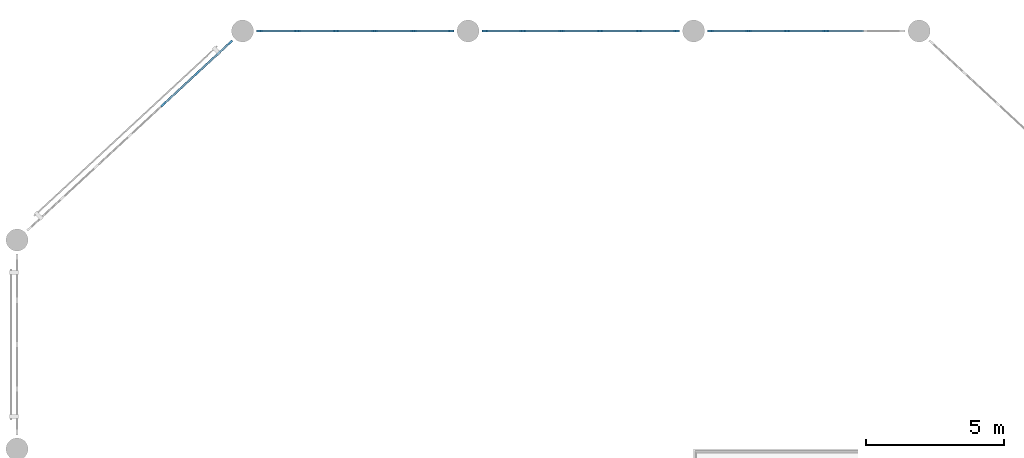
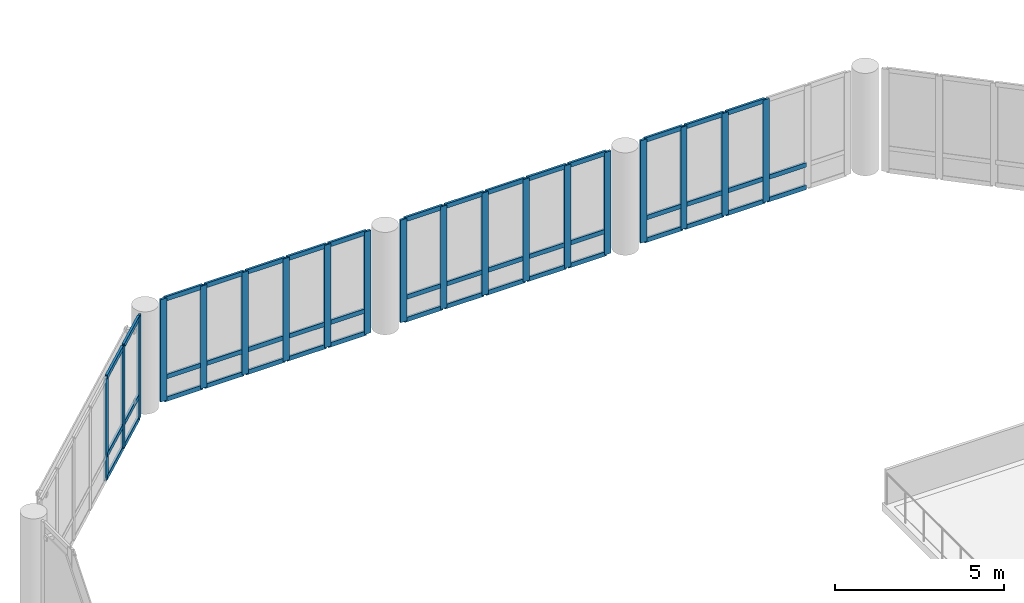
# One storey, part 19 of 49: 66 members, 4 elements without a shape of their own.
"""IFC4 building model written with IfcOpenShell, lengths in metres."""

from ifc_helpers import new_model, si_unit, direction, frame, origin, origin_2d, place, context, subcontext, project, spatial, rectangle, extrude, material, material_profile, profile_set, type_object, element, aggregate, save


model = new_model("IFC4")

# Units and contexts
model_context = context("Model", 3, precision=1e-05, world=origin(), true_north=direction((0.0, 1.0)))
body_context = subcontext(model_context, "Body", "Model", "MODEL_VIEW")
ifc_project = project(units=[si_unit("LENGTHUNIT", "METRE"), si_unit("AREAUNIT", "SQUARE_METRE"), si_unit("VOLUMEUNIT", "CUBIC_METRE"), si_unit("PLANEANGLEUNIT", "RADIAN"), si_unit("MASSUNIT", "GRAM", prefix="KILO")], contexts=[model_context])

# Site, building, storey
site_placement = place(None, origin())
site = spatial("IfcSite", under=ifc_project, at=site_placement, CompositionType="ELEMENT")
building_placement = place(site_placement, origin())
building = spatial("IfcBuilding", under=site, at=building_placement, Name="Qandaris Square Conservatory and Botanical Centre", CompositionType="ELEMENT")
storey_placement = place(building_placement, frame((0.0, 0.0, 10.199951171875)))
storey = spatial("IfcBuildingStorey", under=building, at=storey_placement, Name="L02", CompositionType="ELEMENT", Elevation=10.199951171875)

# Curtain wall, members
ifc_material = material(Name="Anodised Aluminium", Category="aluminium")
curtain_wall_type_1 = type_object("IfcCurtainWallType", Name="Unitised Curtain Wall CW-2-704x370", PredefinedType="USERDEFINED", material=ifc_material)
curtain_wall_1_placement = place(storey_placement, origin())
curtain_wall_1 = element("IfcCurtainWall", 1, at=curtain_wall_1_placement, inside=storey, type_object=curtain_wall_type_1, Name="Curtain Wall CW-CON-L02-5-1", ObjectType="GLAZED CURTAIN WALL", PredefinedType="USERDEFINED")
ifc_material_profile_1 = material_profile(ifc_material, rectangle(XDim=0.074951171875, YDim=0.219970703125, at=origin_2d()), Name="ALU-MUL 75x220")
ifc_profile_set_1 = profile_set([ifc_material_profile_1], Name="Anodised Aluminium")
member_type_1 = type_object("IfcMemberType", Name="Conservatory Heavy Mullion 75x220", PredefinedType="MULLION", material=ifc_profile_set_1)
member_1_placement = place(storey_placement, frame((45.60400390625, 115.39990234375, 0.0), z_axis=(0.0, 0.0, 1.0), x_axis=(0.0, -1.0, 0.0)))
member_1 = element("IfcMember", 2, at=member_1_placement, type_object=member_type_1, Name="CW-2-704x370 mullion 3", PredefinedType="MULLION", context=body_context, shape_type="SweptSolid", body=[
    extrude(rectangle(XDim=0.074951171875, YDim=0.219970703125, at=origin_2d()), origin(), (0.0, 0.0, 1.0), 3.699951171875),
])
member_2_placement = place(storey_placement, frame((44.196044921875, 115.39990234375, 0.0), z_axis=(0.0, 0.0, 1.0), x_axis=(0.0, -1.0, 0.0)))
member_2 = element("IfcMember", 3, at=member_2_placement, type_object=member_type_1, Name="CW-2-704x370 mullion 4", PredefinedType="MULLION", context=body_context, shape_type="SweptSolid", body=[
    extrude(rectangle(XDim=0.074951171875, YDim=0.219970703125, at=origin_2d()), origin(), (0.0, 0.0, 1.0), 3.699951171875),
])
member_3_placement = place(storey_placement, frame((42.7880859375, 115.39990234375, 0.0), z_axis=(0.0, 0.0, 1.0), x_axis=(0.0, -1.0, 0.0)))
member_3 = element("IfcMember", 4, at=member_3_placement, type_object=member_type_1, Name="CW-2-704x370 mullion 5", PredefinedType="MULLION", context=body_context, shape_type="SweptSolid", body=[
    extrude(rectangle(XDim=0.074951171875, YDim=0.219970703125, at=origin_2d()), origin(), (0.0, 0.0, 1.0), 3.699951171875),
])
member_4_placement = place(storey_placement, frame((41.41748046875, 115.39990234375, 0.0), z_axis=(0.0, 0.0, 1.0), x_axis=(0.0, -1.0, 0.0)))
member_4 = element("IfcMember", 5, at=member_4_placement, type_object=member_type_1, Name="CW-2-704x370 mullion 6", PredefinedType="MULLION", context=body_context, shape_type="SweptSolid", body=[
    extrude(rectangle(XDim=0.074951171875, YDim=0.219970703125, at=origin_2d()), origin(), (0.0, 0.0, 1.0), 3.699951171875),
])

curtain_wall_2_placement = place(storey_placement, origin())
curtain_wall_2 = element("IfcCurtainWall", 6, at=curtain_wall_2_placement, inside=storey, type_object=curtain_wall_type_1, Name="Curtain Wall CW-CON-L02-5-2", ObjectType="GLAZED CURTAIN WALL", PredefinedType="USERDEFINED")
member_5_placement = place(storey_placement, frame((40.1826171875, 115.39990234375, 0.0), z_axis=(0.0, 0.0, 1.0), x_axis=(0.0, -1.0, 0.0)))
member_5 = element("IfcMember", 7, at=member_5_placement, type_object=member_type_1, Name="CW-2-704x370 mullion 1", PredefinedType="MULLION", context=body_context, shape_type="SweptSolid", body=[
    extrude(rectangle(XDim=0.074951171875, YDim=0.219970703125, at=origin_2d()), origin(), (0.0, 0.0, 1.0), 3.699951171875),
])
member_6_placement = place(storey_placement, frame((38.81201171875, 115.39990234375, 0.0), z_axis=(0.0, 0.0, 1.0), x_axis=(0.0, -1.0, 0.0)))
member_6 = element("IfcMember", 8, at=member_6_placement, type_object=member_type_1, Name="CW-2-704x370 mullion 2", PredefinedType="MULLION", context=body_context, shape_type="SweptSolid", body=[
    extrude(rectangle(XDim=0.074951171875, YDim=0.219970703125, at=origin_2d()), origin(), (0.0, 0.0, 1.0), 3.699951171875),
])
member_7_placement = place(storey_placement, frame((37.404052734375, 115.39990234375, 0.0), z_axis=(0.0, 0.0, 1.0), x_axis=(0.0, -1.0, 0.0)))
member_7 = element("IfcMember", 9, at=member_7_placement, type_object=member_type_1, Name="CW-2-704x370 mullion 3", PredefinedType="MULLION", context=body_context, shape_type="SweptSolid", body=[
    extrude(rectangle(XDim=0.074951171875, YDim=0.219970703125, at=origin_2d()), origin(), (0.0, 0.0, 1.0), 3.699951171875),
])
member_8_placement = place(storey_placement, frame((35.99609375, 115.39990234375, 0.0), z_axis=(0.0, 0.0, 1.0), x_axis=(0.0, -1.0, 0.0)))
member_8 = element("IfcMember", 10, at=member_8_placement, type_object=member_type_1, Name="CW-2-704x370 mullion 4", PredefinedType="MULLION", context=body_context, shape_type="SweptSolid", body=[
    extrude(rectangle(XDim=0.074951171875, YDim=0.219970703125, at=origin_2d()), origin(), (0.0, 0.0, 1.0), 3.699951171875),
])
member_9_placement = place(storey_placement, frame((34.587890625, 115.39990234375, 0.0), z_axis=(0.0, 0.0, 1.0), x_axis=(0.0, -1.0, 0.0)))
member_9 = element("IfcMember", 11, at=member_9_placement, type_object=member_type_1, Name="CW-2-704x370 mullion 5", PredefinedType="MULLION", context=body_context, shape_type="SweptSolid", body=[
    extrude(rectangle(XDim=0.074951171875, YDim=0.219970703125, at=origin_2d()), origin(), (0.0, 0.0, 1.0), 3.699951171875),
])
member_10_placement = place(storey_placement, frame((33.217529296875, 115.39990234375, 0.0), z_axis=(0.0, 0.0, 1.0), x_axis=(0.0, -1.0, 0.0)))
member_10 = element("IfcMember", 12, at=member_10_placement, type_object=member_type_1, Name="CW-2-704x370 mullion 6", PredefinedType="MULLION", context=body_context, shape_type="SweptSolid", body=[
    extrude(rectangle(XDim=0.074951171875, YDim=0.219970703125, at=origin_2d()), origin(), (0.0, 0.0, 1.0), 3.699951171875),
])

curtain_wall_3_placement = place(storey_placement, origin())
curtain_wall_3 = element("IfcCurtainWall", 13, at=curtain_wall_3_placement, inside=storey, type_object=curtain_wall_type_1, Name="Curtain Wall CW-CON-L02-5-3", ObjectType="GLAZED CURTAIN WALL", PredefinedType="USERDEFINED")
member_11_placement = place(storey_placement, frame((31.982421875, 115.39990234375, 0.0), z_axis=(0.0, 0.0, 1.0), x_axis=(0.0, -1.0, 0.0)))
member_11 = element("IfcMember", 14, at=member_11_placement, type_object=member_type_1, Name="CW-2-704x370 mullion 1", PredefinedType="MULLION", context=body_context, shape_type="SweptSolid", body=[
    extrude(rectangle(XDim=0.074951171875, YDim=0.219970703125, at=origin_2d()), origin(), (0.0, 0.0, 1.0), 3.699951171875),
])
member_12_placement = place(storey_placement, frame((30.612060546875, 115.39990234375, 0.0), z_axis=(0.0, 0.0, 1.0), x_axis=(0.0, -1.0, 0.0)))
member_12 = element("IfcMember", 15, at=member_12_placement, type_object=member_type_1, Name="CW-2-704x370 mullion 2", PredefinedType="MULLION", context=body_context, shape_type="SweptSolid", body=[
    extrude(rectangle(XDim=0.074951171875, YDim=0.219970703125, at=origin_2d()), origin(), (0.0, 0.0, 1.0), 3.699951171875),
])
member_13_placement = place(storey_placement, frame((29.2041015625, 115.39990234375, 0.0), z_axis=(0.0, 0.0, 1.0), x_axis=(0.0, -1.0, 0.0)))
member_13 = element("IfcMember", 16, at=member_13_placement, type_object=member_type_1, Name="CW-2-704x370 mullion 3", PredefinedType="MULLION", context=body_context, shape_type="SweptSolid", body=[
    extrude(rectangle(XDim=0.074951171875, YDim=0.219970703125, at=origin_2d()), origin(), (0.0, 0.0, 1.0), 3.699951171875),
])
member_14_placement = place(storey_placement, frame((27.7958984375, 115.39990234375, 0.0), z_axis=(0.0, 0.0, 1.0), x_axis=(0.0, -1.0, 0.0)))
member_14 = element("IfcMember", 17, at=member_14_placement, type_object=member_type_1, Name="CW-2-704x370 mullion 4", PredefinedType="MULLION", context=body_context, shape_type="SweptSolid", body=[
    extrude(rectangle(XDim=0.074951171875, YDim=0.219970703125, at=origin_2d()), origin(), (0.0, 0.0, 1.0), 3.699951171875),
])
member_15_placement = place(storey_placement, frame((26.387939453125, 115.39990234375, 0.0), z_axis=(0.0, 0.0, 1.0), x_axis=(0.0, -1.0, 0.0)))
member_15 = element("IfcMember", 18, at=member_15_placement, type_object=member_type_1, Name="CW-2-704x370 mullion 5", PredefinedType="MULLION", context=body_context, shape_type="SweptSolid", body=[
    extrude(rectangle(XDim=0.074951171875, YDim=0.219970703125, at=origin_2d()), origin(), (0.0, 0.0, 1.0), 3.699951171875),
])
member_16_placement = place(storey_placement, frame((25.017578125, 115.39990234375, 0.0), z_axis=(0.0, 0.0, 1.0), x_axis=(0.0, -1.0, 0.0)))
member_16 = element("IfcMember", 19, at=member_16_placement, type_object=member_type_1, Name="CW-2-704x370 mullion 6", PredefinedType="MULLION", context=body_context, shape_type="SweptSolid", body=[
    extrude(rectangle(XDim=0.074951171875, YDim=0.219970703125, at=origin_2d()), origin(), (0.0, 0.0, 1.0), 3.699951171875),
])

curtain_wall_type_2 = type_object("IfcCurtainWallType", Name="Unitised Curtain Wall CW-2-1002x370", PredefinedType="USERDEFINED", material=ifc_material)
curtain_wall_4_placement = place(storey_placement, origin())
curtain_wall_4 = element("IfcCurtainWall", 20, at=curtain_wall_4_placement, inside=storey, type_object=curtain_wall_type_2, Name="Curtain Wall CW-CON-L02-6-1", ObjectType="GLAZED CURTAIN WALL", PredefinedType="USERDEFINED")
member_17_placement = place(storey_placement, frame((23.947021484375, 114.980224609375, 0.0), z_axis=(0.0, 0.0, 1.0), x_axis=(0.679761784592, -0.733432966404, 0.0)))
member_17 = element("IfcMember", 21, at=member_17_placement, type_object=member_type_1, Name="CW-2-1002x370 mullion 1", PredefinedType="MULLION", context=body_context, shape_type="SweptSolid", body=[
    extrude(rectangle(XDim=0.074951171875, YDim=0.219970703125, at=origin_2d()), origin(), (0.0, 0.0, 1.0), 3.699951171875),
])
member_18_placement = place(storey_placement, frame((22.749755859375, 113.870361328125, 0.0), z_axis=(0.0, 0.0, 1.0), x_axis=(0.679761784592, -0.733432966404, 0.0)))
member_18 = element("IfcMember", 22, at=member_18_placement, type_object=member_type_1, Name="CW-2-1002x370 mullion 2", PredefinedType="MULLION", context=body_context, shape_type="SweptSolid", body=[
    extrude(rectangle(XDim=0.074951171875, YDim=0.219970703125, at=origin_2d()), origin(), (0.0, 0.0, 1.0), 3.699951171875),
])
member_19_placement = place(storey_placement, frame((21.52490234375, 112.7353515625, 0.0), z_axis=(0.0, 0.0, 1.0), x_axis=(0.679761784592, -0.733432966404, 0.0)))
member_19 = element("IfcMember", 23, at=member_19_placement, type_object=member_type_1, Name="CW-2-1002x370 mullion 3", PredefinedType="MULLION", context=body_context, shape_type="SweptSolid", body=[
    extrude(rectangle(XDim=0.074951171875, YDim=0.219970703125, at=origin_2d()), origin(), (0.0, 0.0, 1.0), 3.699951171875),
])

# Member
ifc_material_profile_2 = material_profile(ifc_material, rectangle(XDim=0.074951171875, YDim=0.159912109375, at=origin_2d()), Name="ALU-TRN 75x160")
ifc_profile_set_2 = profile_set([ifc_material_profile_2], Name="Anodised Aluminium")
member_type_2 = type_object("IfcMemberType", Name="Conservatory Heavy Transom 75x160", PredefinedType="USERDEFINED", material=ifc_profile_set_2)
member_20_placement = place(storey_placement, frame((46.974609375, 115.39990234375, 0.03759765625), z_axis=(-1.0, 0.0, 0.0), x_axis=(0.0, -1.0, 0.0)))
member_20 = element("IfcMember", 24, at=member_20_placement, type_object=member_type_2, Name="CW-2-704x370 transom 2.1", ObjectType="TRANSOM", PredefinedType="USERDEFINED", context=body_context, shape_type="SweptSolid", body=[
    extrude(rectangle(XDim=0.074951171875, YDim=0.159912109375, at=origin_2d()), origin(), (0.0, 0.0, 1.0), 1.3330078125),
])

member_21_placement = place(storey_placement, frame((46.974609375, 115.39990234375, 0.85009765625), z_axis=(-1.0, 0.0, 0.0), x_axis=(0.0, -1.0, 0.0)))
member_21 = element("IfcMember", 25, at=member_21_placement, type_object=member_type_2, Name="CW-2-704x370 transom 2.2", ObjectType="TRANSOM", PredefinedType="USERDEFINED", context=body_context, shape_type="SweptSolid", body=[
    extrude(rectangle(XDim=0.074951171875, YDim=0.159912109375, at=origin_2d()), origin(), (0.0, 0.0, 1.0), 1.3330078125),
])

member_22_placement = place(storey_placement, frame((45.56640625, 115.39990234375, 0.03759765625), z_axis=(-1.0, 0.0, 0.0), x_axis=(0.0, -1.0, 0.0)))
member_22 = element("IfcMember", 26, at=member_22_placement, type_object=member_type_2, Name="CW-2-704x370 transom 3.1", ObjectType="TRANSOM", PredefinedType="USERDEFINED", context=body_context, shape_type="SweptSolid", body=[
    extrude(rectangle(XDim=0.074951171875, YDim=0.159912109375, at=origin_2d()), origin(), (0.0, 0.0, 1.0), 1.3330078125),
])

member_23_placement = place(storey_placement, frame((45.56640625, 115.39990234375, 0.85009765625), z_axis=(-1.0, 0.0, 0.0), x_axis=(0.0, -1.0, 0.0)))
member_23 = element("IfcMember", 27, at=member_23_placement, type_object=member_type_2, Name="CW-2-704x370 transom 3.2", ObjectType="TRANSOM", PredefinedType="USERDEFINED", context=body_context, shape_type="SweptSolid", body=[
    extrude(rectangle(XDim=0.074951171875, YDim=0.159912109375, at=origin_2d()), origin(), (0.0, 0.0, 1.0), 1.3330078125),
])

member_24_placement = place(storey_placement, frame((45.56640625, 115.39990234375, 3.66259765625), z_axis=(-1.0, 0.0, 0.0), x_axis=(0.0, -1.0, 0.0)))
member_24 = element("IfcMember", 28, at=member_24_placement, type_object=member_type_2, Name="CW-2-704x370 transom 3.3", ObjectType="TRANSOM", PredefinedType="USERDEFINED", context=body_context, shape_type="SweptSolid", body=[
    extrude(rectangle(XDim=0.074951171875, YDim=0.159912109375, at=origin_2d()), origin(), (0.0, 0.0, 1.0), 1.3330078125),
])

member_25_placement = place(storey_placement, frame((44.158447265625, 115.39990234375, 0.03759765625), z_axis=(-1.0, 0.0, 0.0), x_axis=(0.0, -1.0, 0.0)))
member_25 = element("IfcMember", 29, at=member_25_placement, type_object=member_type_2, Name="CW-2-704x370 transom 4.1", ObjectType="TRANSOM", PredefinedType="USERDEFINED", context=body_context, shape_type="SweptSolid", body=[
    extrude(rectangle(XDim=0.074951171875, YDim=0.159912109375, at=origin_2d()), origin(), (0.0, 0.0, 1.0), 1.3330078125),
])

member_26_placement = place(storey_placement, frame((44.158447265625, 115.39990234375, 0.85009765625), z_axis=(-1.0, 0.0, 0.0), x_axis=(0.0, -1.0, 0.0)))
member_26 = element("IfcMember", 30, at=member_26_placement, type_object=member_type_2, Name="CW-2-704x370 transom 4.2", ObjectType="TRANSOM", PredefinedType="USERDEFINED", context=body_context, shape_type="SweptSolid", body=[
    extrude(rectangle(XDim=0.074951171875, YDim=0.159912109375, at=origin_2d()), origin(), (0.0, 0.0, 1.0), 1.3330078125),
])

member_27_placement = place(storey_placement, frame((44.158447265625, 115.39990234375, 3.66259765625), z_axis=(-1.0, 0.0, 0.0), x_axis=(0.0, -1.0, 0.0)))
member_27 = element("IfcMember", 31, at=member_27_placement, type_object=member_type_2, Name="CW-2-704x370 transom 4.3", ObjectType="TRANSOM", PredefinedType="USERDEFINED", context=body_context, shape_type="SweptSolid", body=[
    extrude(rectangle(XDim=0.074951171875, YDim=0.159912109375, at=origin_2d()), origin(), (0.0, 0.0, 1.0), 1.3330078125),
])

member_28_placement = place(storey_placement, frame((42.75048828125, 115.39990234375, 0.03759765625), z_axis=(-1.0, 0.0, 0.0), x_axis=(0.0, -1.0, 0.0)))
member_28 = element("IfcMember", 32, at=member_28_placement, type_object=member_type_2, Name="CW-2-704x370 transom 5.1", ObjectType="TRANSOM", PredefinedType="USERDEFINED", context=body_context, shape_type="SweptSolid", body=[
    extrude(rectangle(XDim=0.074951171875, YDim=0.159912109375, at=origin_2d()), origin(), (0.0, 0.0, 1.0), 1.29541015625),
])

member_29_placement = place(storey_placement, frame((42.75048828125, 115.39990234375, 0.85009765625), z_axis=(-1.0, 0.0, 0.0), x_axis=(0.0, -1.0, 0.0)))
member_29 = element("IfcMember", 33, at=member_29_placement, type_object=member_type_2, Name="CW-2-704x370 transom 5.2", ObjectType="TRANSOM", PredefinedType="USERDEFINED", context=body_context, shape_type="SweptSolid", body=[
    extrude(rectangle(XDim=0.074951171875, YDim=0.159912109375, at=origin_2d()), origin(), (0.0, 0.0, 1.0), 1.29541015625),
])

member_30_placement = place(storey_placement, frame((42.75048828125, 115.39990234375, 3.66259765625), z_axis=(-1.0, 0.0, 0.0), x_axis=(0.0, -1.0, 0.0)))
member_30 = element("IfcMember", 34, at=member_30_placement, type_object=member_type_2, Name="CW-2-704x370 transom 5.3", ObjectType="TRANSOM", PredefinedType="USERDEFINED", context=body_context, shape_type="SweptSolid", body=[
    extrude(rectangle(XDim=0.074951171875, YDim=0.159912109375, at=origin_2d()), origin(), (0.0, 0.0, 1.0), 1.29541015625),
])

aggregate(curtain_wall_1, [member_1, member_2, member_3, member_4, member_20, member_21, member_22, member_23, member_24, member_25, member_26, member_27, member_28, member_29, member_30])

member_31_placement = place(storey_placement, frame((40.14501953125, 115.39990234375, 0.03759765625), z_axis=(-1.0, 0.0, 0.0), x_axis=(0.0, -1.0, 0.0)))
member_31 = element("IfcMember", 35, at=member_31_placement, type_object=member_type_2, Name="CW-2-704x370 transom 1.1", ObjectType="TRANSOM", PredefinedType="USERDEFINED", context=body_context, shape_type="SweptSolid", body=[
    extrude(rectangle(XDim=0.074951171875, YDim=0.159912109375, at=origin_2d()), origin(), (0.0, 0.0, 1.0), 1.29541015625),
])

member_32_placement = place(storey_placement, frame((40.14501953125, 115.39990234375, 0.85009765625), z_axis=(-1.0, 0.0, 0.0), x_axis=(0.0, -1.0, 0.0)))
member_32 = element("IfcMember", 36, at=member_32_placement, type_object=member_type_2, Name="CW-2-704x370 transom 1.2", ObjectType="TRANSOM", PredefinedType="USERDEFINED", context=body_context, shape_type="SweptSolid", body=[
    extrude(rectangle(XDim=0.074951171875, YDim=0.159912109375, at=origin_2d()), origin(), (0.0, 0.0, 1.0), 1.29541015625),
])

member_33_placement = place(storey_placement, frame((40.14501953125, 115.39990234375, 3.66259765625), z_axis=(-1.0, 0.0, 0.0), x_axis=(0.0, -1.0, 0.0)))
member_33 = element("IfcMember", 37, at=member_33_placement, type_object=member_type_2, Name="CW-2-704x370 transom 1.3", ObjectType="TRANSOM", PredefinedType="USERDEFINED", context=body_context, shape_type="SweptSolid", body=[
    extrude(rectangle(XDim=0.074951171875, YDim=0.159912109375, at=origin_2d()), origin(), (0.0, 0.0, 1.0), 1.29541015625),
])

member_34_placement = place(storey_placement, frame((38.7744140625, 115.39990234375, 0.03759765625), z_axis=(-1.0, 0.0, 0.0), x_axis=(0.0, -1.0, 0.0)))
member_34 = element("IfcMember", 38, at=member_34_placement, type_object=member_type_2, Name="CW-2-704x370 transom 2.1", ObjectType="TRANSOM", PredefinedType="USERDEFINED", context=body_context, shape_type="SweptSolid", body=[
    extrude(rectangle(XDim=0.074951171875, YDim=0.159912109375, at=origin_2d()), origin(), (0.0, 0.0, 1.0), 1.3330078125),
])

member_35_placement = place(storey_placement, frame((38.7744140625, 115.39990234375, 0.85009765625), z_axis=(-1.0, 0.0, 0.0), x_axis=(0.0, -1.0, 0.0)))
member_35 = element("IfcMember", 39, at=member_35_placement, type_object=member_type_2, Name="CW-2-704x370 transom 2.2", ObjectType="TRANSOM", PredefinedType="USERDEFINED", context=body_context, shape_type="SweptSolid", body=[
    extrude(rectangle(XDim=0.074951171875, YDim=0.159912109375, at=origin_2d()), origin(), (0.0, 0.0, 1.0), 1.3330078125),
])

member_36_placement = place(storey_placement, frame((38.7744140625, 115.39990234375, 3.66259765625), z_axis=(-1.0, 0.0, 0.0), x_axis=(0.0, -1.0, 0.0)))
member_36 = element("IfcMember", 40, at=member_36_placement, type_object=member_type_2, Name="CW-2-704x370 transom 2.3", ObjectType="TRANSOM", PredefinedType="USERDEFINED", context=body_context, shape_type="SweptSolid", body=[
    extrude(rectangle(XDim=0.074951171875, YDim=0.159912109375, at=origin_2d()), origin(), (0.0, 0.0, 1.0), 1.3330078125),
])

member_37_placement = place(storey_placement, frame((37.366455078125, 115.39990234375, 0.03759765625), z_axis=(-1.0, 0.0, 0.0), x_axis=(0.0, -1.0, 0.0)))
member_37 = element("IfcMember", 41, at=member_37_placement, type_object=member_type_2, Name="CW-2-704x370 transom 3.1", ObjectType="TRANSOM", PredefinedType="USERDEFINED", context=body_context, shape_type="SweptSolid", body=[
    extrude(rectangle(XDim=0.074951171875, YDim=0.159912109375, at=origin_2d()), origin(), (0.0, 0.0, 1.0), 1.3330078125),
])

member_38_placement = place(storey_placement, frame((37.366455078125, 115.39990234375, 0.85009765625), z_axis=(-1.0, 0.0, 0.0), x_axis=(0.0, -1.0, 0.0)))
member_38 = element("IfcMember", 42, at=member_38_placement, type_object=member_type_2, Name="CW-2-704x370 transom 3.2", ObjectType="TRANSOM", PredefinedType="USERDEFINED", context=body_context, shape_type="SweptSolid", body=[
    extrude(rectangle(XDim=0.074951171875, YDim=0.159912109375, at=origin_2d()), origin(), (0.0, 0.0, 1.0), 1.3330078125),
])

member_39_placement = place(storey_placement, frame((37.366455078125, 115.39990234375, 3.66259765625), z_axis=(-1.0, 0.0, 0.0), x_axis=(0.0, -1.0, 0.0)))
member_39 = element("IfcMember", 43, at=member_39_placement, type_object=member_type_2, Name="CW-2-704x370 transom 3.3", ObjectType="TRANSOM", PredefinedType="USERDEFINED", context=body_context, shape_type="SweptSolid", body=[
    extrude(rectangle(XDim=0.074951171875, YDim=0.159912109375, at=origin_2d()), origin(), (0.0, 0.0, 1.0), 1.3330078125),
])

member_40_placement = place(storey_placement, frame((35.95849609375, 115.39990234375, 0.03759765625), z_axis=(-1.0, 0.0, 0.0), x_axis=(0.0, -1.0, 0.0)))
member_40 = element("IfcMember", 44, at=member_40_placement, type_object=member_type_2, Name="CW-2-704x370 transom 4.1", ObjectType="TRANSOM", PredefinedType="USERDEFINED", context=body_context, shape_type="SweptSolid", body=[
    extrude(rectangle(XDim=0.074951171875, YDim=0.159912109375, at=origin_2d()), origin(), (0.0, 0.0, 1.0), 1.3330078125),
])

member_41_placement = place(storey_placement, frame((35.95849609375, 115.39990234375, 0.85009765625), z_axis=(-1.0, 0.0, 0.0), x_axis=(0.0, -1.0, 0.0)))
member_41 = element("IfcMember", 45, at=member_41_placement, type_object=member_type_2, Name="CW-2-704x370 transom 4.2", ObjectType="TRANSOM", PredefinedType="USERDEFINED", context=body_context, shape_type="SweptSolid", body=[
    extrude(rectangle(XDim=0.074951171875, YDim=0.159912109375, at=origin_2d()), origin(), (0.0, 0.0, 1.0), 1.3330078125),
])

member_42_placement = place(storey_placement, frame((35.95849609375, 115.39990234375, 3.66259765625), z_axis=(-1.0, 0.0, 0.0), x_axis=(0.0, -1.0, 0.0)))
member_42 = element("IfcMember", 46, at=member_42_placement, type_object=member_type_2, Name="CW-2-704x370 transom 4.3", ObjectType="TRANSOM", PredefinedType="USERDEFINED", context=body_context, shape_type="SweptSolid", body=[
    extrude(rectangle(XDim=0.074951171875, YDim=0.159912109375, at=origin_2d()), origin(), (0.0, 0.0, 1.0), 1.3330078125),
])

member_43_placement = place(storey_placement, frame((34.550537109375, 115.39990234375, 0.03759765625), z_axis=(-1.0, 0.0, 0.0), x_axis=(0.0, -1.0, 0.0)))
member_43 = element("IfcMember", 47, at=member_43_placement, type_object=member_type_2, Name="CW-2-704x370 transom 5.1", ObjectType="TRANSOM", PredefinedType="USERDEFINED", context=body_context, shape_type="SweptSolid", body=[
    extrude(rectangle(XDim=0.074951171875, YDim=0.159912109375, at=origin_2d()), origin(), (0.0, 0.0, 1.0), 1.295654296875),
])

member_44_placement = place(storey_placement, frame((34.550537109375, 115.39990234375, 0.85009765625), z_axis=(-1.0, 0.0, 0.0), x_axis=(0.0, -1.0, 0.0)))
member_44 = element("IfcMember", 48, at=member_44_placement, type_object=member_type_2, Name="CW-2-704x370 transom 5.2", ObjectType="TRANSOM", PredefinedType="USERDEFINED", context=body_context, shape_type="SweptSolid", body=[
    extrude(rectangle(XDim=0.074951171875, YDim=0.159912109375, at=origin_2d()), origin(), (0.0, 0.0, 1.0), 1.295654296875),
])

member_45_placement = place(storey_placement, frame((34.550537109375, 115.39990234375, 3.66259765625), z_axis=(-1.0, 0.0, 0.0), x_axis=(0.0, -1.0, 0.0)))
member_45 = element("IfcMember", 49, at=member_45_placement, type_object=member_type_2, Name="CW-2-704x370 transom 5.3", ObjectType="TRANSOM", PredefinedType="USERDEFINED", context=body_context, shape_type="SweptSolid", body=[
    extrude(rectangle(XDim=0.074951171875, YDim=0.159912109375, at=origin_2d()), origin(), (0.0, 0.0, 1.0), 1.295654296875),
])

aggregate(curtain_wall_2, [member_5, member_6, member_7, member_8, member_9, member_10, member_31, member_32, member_33, member_34, member_35, member_36, member_37, member_38, member_39, member_40, member_41, member_42, member_43, member_44, member_45])

member_46_placement = place(storey_placement, frame((31.945068359375, 115.39990234375, 0.03759765625), z_axis=(-1.0, 0.0, 0.0), x_axis=(0.0, -1.0, 0.0)))
member_46 = element("IfcMember", 50, at=member_46_placement, type_object=member_type_2, Name="CW-2-704x370 transom 1.1", ObjectType="TRANSOM", PredefinedType="USERDEFINED", context=body_context, shape_type="SweptSolid", body=[
    extrude(rectangle(XDim=0.074951171875, YDim=0.159912109375, at=origin_2d()), origin(), (0.0, 0.0, 1.0), 1.295654296875),
])

member_47_placement = place(storey_placement, frame((31.945068359375, 115.39990234375, 0.85009765625), z_axis=(-1.0, 0.0, 0.0), x_axis=(0.0, -1.0, 0.0)))
member_47 = element("IfcMember", 51, at=member_47_placement, type_object=member_type_2, Name="CW-2-704x370 transom 1.2", ObjectType="TRANSOM", PredefinedType="USERDEFINED", context=body_context, shape_type="SweptSolid", body=[
    extrude(rectangle(XDim=0.074951171875, YDim=0.159912109375, at=origin_2d()), origin(), (0.0, 0.0, 1.0), 1.295654296875),
])

member_48_placement = place(storey_placement, frame((31.945068359375, 115.39990234375, 3.66259765625), z_axis=(-1.0, 0.0, 0.0), x_axis=(0.0, -1.0, 0.0)))
member_48 = element("IfcMember", 52, at=member_48_placement, type_object=member_type_2, Name="CW-2-704x370 transom 1.3", ObjectType="TRANSOM", PredefinedType="USERDEFINED", context=body_context, shape_type="SweptSolid", body=[
    extrude(rectangle(XDim=0.074951171875, YDim=0.159912109375, at=origin_2d()), origin(), (0.0, 0.0, 1.0), 1.295654296875),
])

member_49_placement = place(storey_placement, frame((30.574462890625, 115.39990234375, 0.03759765625), z_axis=(-1.0, 0.0, 0.0), x_axis=(0.0, -1.0, 0.0)))
member_49 = element("IfcMember", 53, at=member_49_placement, type_object=member_type_2, Name="CW-2-704x370 transom 2.1", ObjectType="TRANSOM", PredefinedType="USERDEFINED", context=body_context, shape_type="SweptSolid", body=[
    extrude(rectangle(XDim=0.074951171875, YDim=0.159912109375, at=origin_2d()), origin(), (0.0, 0.0, 1.0), 1.3330078125),
])

member_50_placement = place(storey_placement, frame((30.574462890625, 115.39990234375, 0.85009765625), z_axis=(-1.0, 0.0, 0.0), x_axis=(0.0, -1.0, 0.0)))
member_50 = element("IfcMember", 54, at=member_50_placement, type_object=member_type_2, Name="CW-2-704x370 transom 2.2", ObjectType="TRANSOM", PredefinedType="USERDEFINED", context=body_context, shape_type="SweptSolid", body=[
    extrude(rectangle(XDim=0.074951171875, YDim=0.159912109375, at=origin_2d()), origin(), (0.0, 0.0, 1.0), 1.3330078125),
])

member_51_placement = place(storey_placement, frame((30.574462890625, 115.39990234375, 3.66259765625), z_axis=(-1.0, 0.0, 0.0), x_axis=(0.0, -1.0, 0.0)))
member_51 = element("IfcMember", 55, at=member_51_placement, type_object=member_type_2, Name="CW-2-704x370 transom 2.3", ObjectType="TRANSOM", PredefinedType="USERDEFINED", context=body_context, shape_type="SweptSolid", body=[
    extrude(rectangle(XDim=0.074951171875, YDim=0.159912109375, at=origin_2d()), origin(), (0.0, 0.0, 1.0), 1.3330078125),
])

member_52_placement = place(storey_placement, frame((29.16650390625, 115.39990234375, 0.03759765625), z_axis=(-1.0, 0.0, 0.0), x_axis=(0.0, -1.0, 0.0)))
member_52 = element("IfcMember", 56, at=member_52_placement, type_object=member_type_2, Name="CW-2-704x370 transom 3.1", ObjectType="TRANSOM", PredefinedType="USERDEFINED", context=body_context, shape_type="SweptSolid", body=[
    extrude(rectangle(XDim=0.074951171875, YDim=0.159912109375, at=origin_2d()), origin(), (0.0, 0.0, 1.0), 1.3330078125),
])

member_53_placement = place(storey_placement, frame((29.16650390625, 115.39990234375, 0.85009765625), z_axis=(-1.0, 0.0, 0.0), x_axis=(0.0, -1.0, 0.0)))
member_53 = element("IfcMember", 57, at=member_53_placement, type_object=member_type_2, Name="CW-2-704x370 transom 3.2", ObjectType="TRANSOM", PredefinedType="USERDEFINED", context=body_context, shape_type="SweptSolid", body=[
    extrude(rectangle(XDim=0.074951171875, YDim=0.159912109375, at=origin_2d()), origin(), (0.0, 0.0, 1.0), 1.3330078125),
])

member_54_placement = place(storey_placement, frame((29.16650390625, 115.39990234375, 3.66259765625), z_axis=(-1.0, 0.0, 0.0), x_axis=(0.0, -1.0, 0.0)))
member_54 = element("IfcMember", 58, at=member_54_placement, type_object=member_type_2, Name="CW-2-704x370 transom 3.3", ObjectType="TRANSOM", PredefinedType="USERDEFINED", context=body_context, shape_type="SweptSolid", body=[
    extrude(rectangle(XDim=0.074951171875, YDim=0.159912109375, at=origin_2d()), origin(), (0.0, 0.0, 1.0), 1.3330078125),
])

member_55_placement = place(storey_placement, frame((27.758544921875, 115.39990234375, 0.03759765625), z_axis=(-1.0, 0.0, 0.0), x_axis=(0.0, -1.0, 0.0)))
member_55 = element("IfcMember", 59, at=member_55_placement, type_object=member_type_2, Name="CW-2-704x370 transom 4.1", ObjectType="TRANSOM", PredefinedType="USERDEFINED", context=body_context, shape_type="SweptSolid", body=[
    extrude(rectangle(XDim=0.074951171875, YDim=0.159912109375, at=origin_2d()), origin(), (0.0, 0.0, 1.0), 1.3330078125),
])

member_56_placement = place(storey_placement, frame((27.758544921875, 115.39990234375, 0.85009765625), z_axis=(-1.0, 0.0, 0.0), x_axis=(0.0, -1.0, 0.0)))
member_56 = element("IfcMember", 60, at=member_56_placement, type_object=member_type_2, Name="CW-2-704x370 transom 4.2", ObjectType="TRANSOM", PredefinedType="USERDEFINED", context=body_context, shape_type="SweptSolid", body=[
    extrude(rectangle(XDim=0.074951171875, YDim=0.159912109375, at=origin_2d()), origin(), (0.0, 0.0, 1.0), 1.3330078125),
])

member_57_placement = place(storey_placement, frame((27.758544921875, 115.39990234375, 3.66259765625), z_axis=(-1.0, 0.0, 0.0), x_axis=(0.0, -1.0, 0.0)))
member_57 = element("IfcMember", 61, at=member_57_placement, type_object=member_type_2, Name="CW-2-704x370 transom 4.3", ObjectType="TRANSOM", PredefinedType="USERDEFINED", context=body_context, shape_type="SweptSolid", body=[
    extrude(rectangle(XDim=0.074951171875, YDim=0.159912109375, at=origin_2d()), origin(), (0.0, 0.0, 1.0), 1.3330078125),
])

member_58_placement = place(storey_placement, frame((26.3505859375, 115.39990234375, 0.03759765625), z_axis=(-1.0, 0.0, 0.0), x_axis=(0.0, -1.0, 0.0)))
member_58 = element("IfcMember", 62, at=member_58_placement, type_object=member_type_2, Name="CW-2-704x370 transom 5.1", ObjectType="TRANSOM", PredefinedType="USERDEFINED", context=body_context, shape_type="SweptSolid", body=[
    extrude(rectangle(XDim=0.074951171875, YDim=0.159912109375, at=origin_2d()), origin(), (0.0, 0.0, 1.0), 1.295654296875),
])

member_59_placement = place(storey_placement, frame((26.3505859375, 115.39990234375, 0.85009765625), z_axis=(-1.0, 0.0, 0.0), x_axis=(0.0, -1.0, 0.0)))
member_59 = element("IfcMember", 63, at=member_59_placement, type_object=member_type_2, Name="CW-2-704x370 transom 5.2", ObjectType="TRANSOM", PredefinedType="USERDEFINED", context=body_context, shape_type="SweptSolid", body=[
    extrude(rectangle(XDim=0.074951171875, YDim=0.159912109375, at=origin_2d()), origin(), (0.0, 0.0, 1.0), 1.295654296875),
])

member_60_placement = place(storey_placement, frame((26.3505859375, 115.39990234375, 3.66259765625), z_axis=(-1.0, 0.0, 0.0), x_axis=(0.0, -1.0, 0.0)))
member_60 = element("IfcMember", 64, at=member_60_placement, type_object=member_type_2, Name="CW-2-704x370 transom 5.3", ObjectType="TRANSOM", PredefinedType="USERDEFINED", context=body_context, shape_type="SweptSolid", body=[
    extrude(rectangle(XDim=0.074951171875, YDim=0.159912109375, at=origin_2d()), origin(), (0.0, 0.0, 1.0), 1.295654296875),
])

aggregate(curtain_wall_3, [member_11, member_12, member_13, member_14, member_15, member_16, member_46, member_47, member_48, member_49, member_50, member_51, member_52, member_53, member_54, member_55, member_56, member_57, member_58, member_59, member_60])

member_61_placement = place(storey_placement, frame((23.919677734375, 114.954833984375, 0.03759765625), z_axis=(-0.733401706001, -0.679795511632, 0.0), x_axis=(0.679795511632, -0.733401706001, 0.0)))
member_61 = element("IfcMember", 65, at=member_61_placement, type_object=member_type_2, Name="CW-2-1002x370 transom 1.1", ObjectType="TRANSOM", PredefinedType="USERDEFINED", context=body_context, shape_type="SweptSolid", body=[
    extrude(rectangle(XDim=0.074951171875, YDim=0.159912109375, at=origin_2d()), origin(), (0.0, 0.0, 1.0), 1.5576171875),
])

member_62_placement = place(storey_placement, frame((23.919677734375, 114.954833984375, 0.85009765625), z_axis=(-0.733401706001, -0.679795511632, 0.0), x_axis=(0.679795511632, -0.733401706001, 0.0)))
member_62 = element("IfcMember", 66, at=member_62_placement, type_object=member_type_2, Name="CW-2-1002x370 transom 1.2", ObjectType="TRANSOM", PredefinedType="USERDEFINED", context=body_context, shape_type="SweptSolid", body=[
    extrude(rectangle(XDim=0.074951171875, YDim=0.159912109375, at=origin_2d()), origin(), (0.0, 0.0, 1.0), 1.5576171875),
])

member_63_placement = place(storey_placement, frame((23.919677734375, 114.954833984375, 3.66259765625), z_axis=(-0.733401706001, -0.679795511632, 0.0), x_axis=(0.679795511632, -0.733401706001, 0.0)))
member_63 = element("IfcMember", 67, at=member_63_placement, type_object=member_type_2, Name="CW-2-1002x370 transom 1.3", ObjectType="TRANSOM", PredefinedType="USERDEFINED", context=body_context, shape_type="SweptSolid", body=[
    extrude(rectangle(XDim=0.074951171875, YDim=0.159912109375, at=origin_2d()), origin(), (0.0, 0.0, 1.0), 1.5576171875),
])

member_64_placement = place(storey_placement, frame((22.72216796875, 113.844970703125, 0.03759765625), z_axis=(-0.733387482848, -0.679810856049, 0.0), x_axis=(0.679810856049, -0.733387482848, 0.0)))
member_64 = element("IfcMember", 68, at=member_64_placement, type_object=member_type_2, Name="CW-2-1002x370 transom 2.1", ObjectType="TRANSOM", PredefinedType="USERDEFINED", context=body_context, shape_type="SweptSolid", body=[
    extrude(rectangle(XDim=0.074951171875, YDim=0.159912109375, at=origin_2d()), origin(), (0.0, 0.0, 1.0), 1.594970703125),
])

member_65_placement = place(storey_placement, frame((22.72216796875, 113.844970703125, 0.85009765625), z_axis=(-0.733387482848, -0.679810856049, 0.0), x_axis=(0.679810856049, -0.733387482848, 0.0)))
member_65 = element("IfcMember", 69, at=member_65_placement, type_object=member_type_2, Name="CW-2-1002x370 transom 2.2", ObjectType="TRANSOM", PredefinedType="USERDEFINED", context=body_context, shape_type="SweptSolid", body=[
    extrude(rectangle(XDim=0.074951171875, YDim=0.159912109375, at=origin_2d()), origin(), (0.0, 0.0, 1.0), 1.594970703125),
])

member_66_placement = place(storey_placement, frame((22.72216796875, 113.844970703125, 3.66259765625), z_axis=(-0.733387482848, -0.679810856049, 0.0), x_axis=(0.679810856049, -0.733387482848, 0.0)))
member_66 = element("IfcMember", 70, at=member_66_placement, type_object=member_type_2, Name="CW-2-1002x370 transom 2.3", ObjectType="TRANSOM", PredefinedType="USERDEFINED", context=body_context, shape_type="SweptSolid", body=[
    extrude(rectangle(XDim=0.074951171875, YDim=0.159912109375, at=origin_2d()), origin(), (0.0, 0.0, 1.0), 1.594970703125),
])

aggregate(curtain_wall_4, [member_17, member_18, member_19, member_61, member_62, member_63, member_64, member_65, member_66])

save(model, "model.ifc")
